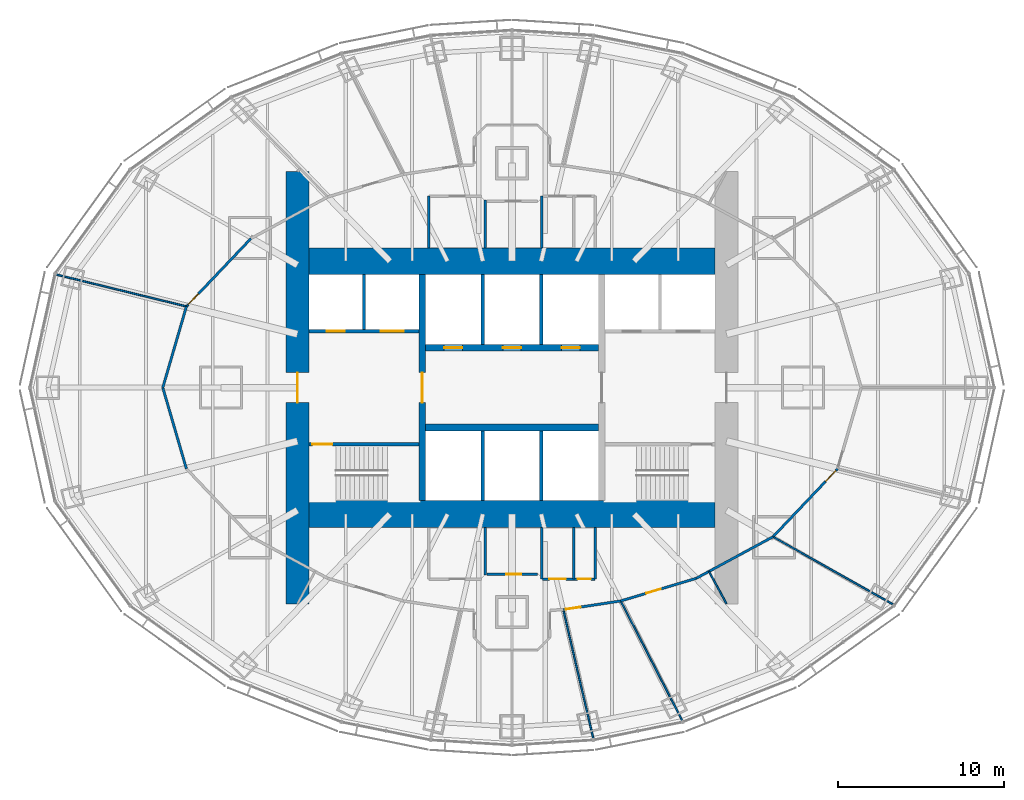
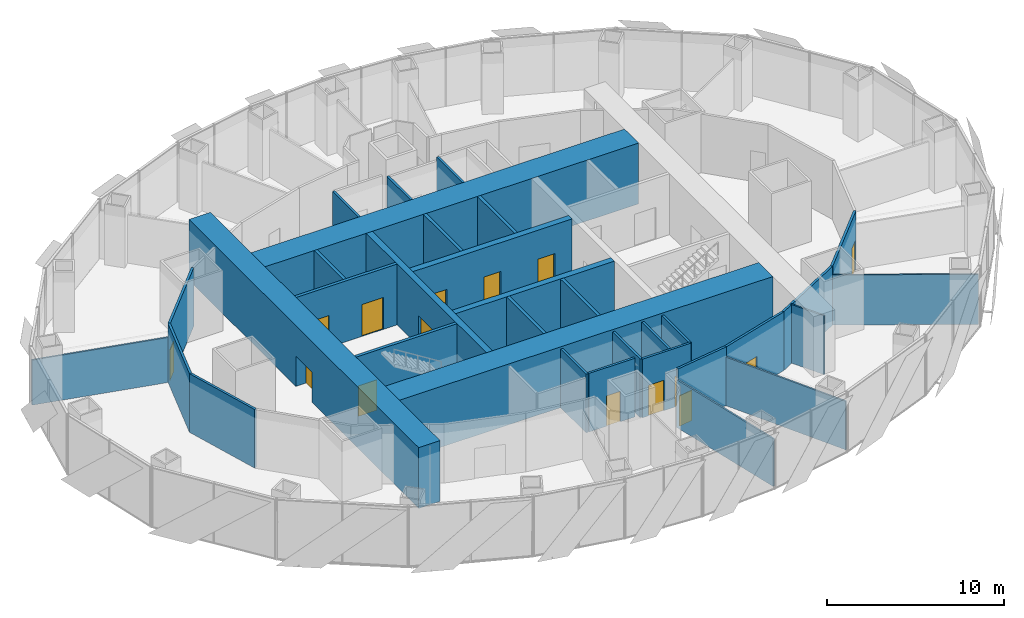
# One storey, part 11 of 18: 34 walls, 15 doors, 15 openings.
"""IFC4 building model written with IfcOpenShell, lengths in metres."""

from ifc_helpers import new_model, si_unit, direction, frame, frame_2d, origin, place, context, subcontext, project, spatial, rectangle, extrude, material, layer, layer_set, type_object, element, fill, save


model = new_model("IFC4")

# Units and contexts
model_context = context("Model", 3, precision=1e-05, world=origin(), true_north=direction((0.0, 1.0)))
body_context = subcontext(model_context, "Body", "Model", "MODEL_VIEW")
ifc_project = project(units=[si_unit("LENGTHUNIT", "METRE"), si_unit("AREAUNIT", "SQUARE_METRE"), si_unit("VOLUMEUNIT", "CUBIC_METRE"), si_unit("PLANEANGLEUNIT", "RADIAN"), si_unit("MASSUNIT", "GRAM", prefix="KILO")], contexts=[model_context])

# Site, building, storey
site_placement = place(None, origin())
site = spatial("IfcSite", under=ifc_project, at=site_placement, CompositionType="ELEMENT")
building_placement = place(site_placement, origin())
building = spatial("IfcBuilding", under=site, at=building_placement, Name="Lantaw Convention Tower", CompositionType="ELEMENT")
storey_placement = place(building_placement, frame((0.0, 0.0, 142.60009765625)))
storey = spatial("IfcBuildingStorey", under=building, at=storey_placement, Name="L33", CompositionType="ELEMENT", Elevation=142.60009765625)

# Wall, opening, door
ifc_material_1 = material(Name="Concrete C60/75", Category="concrete")
ifc_layer_1 = layer(ifc_material_1, 1.39990234375)
ifc_layer_set_1 = layer_set([ifc_layer_1], Name="Core wall 1400")
wall_type_1 = type_object("IfcWallType", Name="Core wall 1400", PredefinedType="SHEAR", material=ifc_layer_set_1)
wall_1_placement = place(storey_placement, frame((-12.89990234375, 13.0, 0.0), z_axis=(0.0, 0.0, 1.0), x_axis=(0.0, -1.0, 0.0)))
wall_1 = element("IfcWall", 1, at=wall_1_placement, inside=storey, type_object=wall_type_1, Name="Core wall W", PredefinedType="SHEAR", context=body_context, shape_type="SweptSolid", body=[
    extrude(rectangle(XDim=26.0, YDim=1.39990234375, at=frame_2d((13.0, 0.0))), origin(), (0.0, 0.0, 1.0), 4.199951171875),
])
opening_1_placement = place(wall_1_placement, frame((12.10009765625, 0.0, 0.0)))
opening_1 = element("IfcOpeningElement", 2, at=opening_1_placement, cuts=wall_1, Name="Opening L33.06", PredefinedType="OPENING", context=body_context, shape_type="SweptSolid", body=[
    extrude(rectangle(XDim=1.800048828125, YDim=2.10009765625, at=frame_2d((0.89990234375, 1.050048828125))), frame((0.0, 0.7099609375, 0.0), z_axis=(0.0, -1.0, 0.0), x_axis=(1.0, 0.0, 0.0)), (0.0, 0.0, 1.0), 1.419921875),
])
ifc_material_2 = material(Name="Steel, fire rated", Category="steel")
door_type_1 = type_object("IfcDoorType", Name="Lobby double door FD90", OperationType="DOUBLE_DOOR_DOUBLE_SWING", PredefinedType="DOOR", material=ifc_material_2)
door_1_placement = place(opening_1_placement, origin())
door_1 = element("IfcDoor", 3, at=door_1_placement, inside=storey, type_object=door_type_1, Name="Firefighting lobby door", OperationType="DOUBLE_DOOR_DOUBLE_SWING", OverallHeight=2.10009765625, OverallWidth=1.800048828125, PredefinedType="DOOR", context=body_context, shape_type="SweptSolid", body=[
    extrude(rectangle(XDim=1.800048828125, YDim=2.10009765625, at=frame_2d((0.89990234375, 1.050048828125))), frame((0.0, 0.02490234375, 0.0), z_axis=(0.0, -1.0, 0.0), x_axis=(1.0, 0.0, 0.0)), (0.0, 0.0, 1.0), 0.050048828125),
])
fill(opening_1, door_1)

# Walls
ifc_layer_2 = layer(ifc_material_1, 1.60009765625)
ifc_layer_set_2 = layer_set([ifc_layer_2], Name="Core wall 1600")
wall_type_2 = type_object("IfcWallType", Name="Core wall 1600", PredefinedType="SHEAR", material=ifc_layer_set_2)
for number, where, z_axis, x_axis, name in (
    (4, (-12.199951171875, -7.60009765625, 0.0), (0.0, 0.0, 1.0), (1.0, 0.0, 0.0), "Core wall S"),
    (5, (12.199951171875, 7.60009765625, 0.0), (0.0, 0.0, 1.0), (-1.0, 0.0, 0.0), "Core wall N"),
):
    element("IfcWall", number, at=place(storey_placement, frame(where, z_axis=z_axis, x_axis=x_axis)), inside=storey, type_object=wall_type_2, Name=name, PredefinedType="SHEAR", context=body_context, shape_type="SweptSolid", body=[
        extrude(rectangle(XDim=24.39990234375, YDim=1.60009765625, at=frame_2d((12.199951171875, 0.0))), origin(), (0.0, 0.0, 1.0), 4.199951171875),
    ])

# Wall, opening, door
ifc_layer_3 = layer(ifc_material_1, 0.199951171875)
ifc_layer_set_3 = layer_set([ifc_layer_3], Name="Core wall 200")
wall_type_3 = type_object("IfcWallType", Name="Core wall 200", PredefinedType="SHEAR", material=ifc_layer_set_3)
wall_2_placement = place(storey_placement, frame((-5.60009765625, -3.39990234375, 0.0), z_axis=(0.0, 0.0, 1.0), x_axis=(-1.0, 0.0, 0.0)))
wall_2 = element("IfcWall", 6, at=wall_2_placement, inside=storey, type_object=wall_type_3, Name="Core wall WS", PredefinedType="SHEAR", context=body_context, shape_type="SweptSolid", body=[
    extrude(rectangle(XDim=6.599853515625, YDim=0.199951171875, at=frame_2d((3.2998046875, 0.0))), origin(), (0.0, 0.0, 1.0), 4.199951171875),
])
opening_2_placement = place(wall_2_placement, frame((5.199951171875, 0.0, 0.0)))
opening_2 = element("IfcOpeningElement", 7, at=opening_2_placement, cuts=wall_2, Name="Opening L33.04", PredefinedType="OPENING", context=body_context, shape_type="SweptSolid", body=[
    extrude(rectangle(XDim=1.199951171875, YDim=2.10009765625, at=frame_2d((0.60009765625, 1.050048828125))), frame((0.0, 0.10986328125, 0.0), z_axis=(0.0, -1.0, 0.0), x_axis=(1.0, 0.0, 0.0)), (0.0, 0.0, 1.0), 0.219970703125),
])
door_type_2 = type_object("IfcDoorType", Name="Stair door FD90", OperationType="SINGLE_SWING_RIGHT", PredefinedType="DOOR", material=ifc_material_2)
door_2_placement = place(opening_2_placement, origin())
door_2 = element("IfcDoor", 8, at=door_2_placement, inside=storey, type_object=door_type_2, Name="Exit stair door", OperationType="SINGLE_SWING_RIGHT", OverallHeight=2.10009765625, OverallWidth=1.199951171875, PredefinedType="DOOR", context=body_context, shape_type="SweptSolid", body=[
    extrude(rectangle(XDim=1.199951171875, YDim=2.10009765625, at=frame_2d((0.60009765625, 1.050048828125))), frame((0.0, 0.02490234375, 0.0), z_axis=(0.0, -1.0, 0.0), x_axis=(1.0, 0.0, 0.0)), (0.0, 0.0, 1.0), 0.050048828125),
])
fill(opening_2, door_2)

ifc_layer_4 = layer(ifc_material_1, 0.39990234375)
ifc_layer_set_4 = layer_set([ifc_layer_4], Name="Core wall 400")
wall_type_4 = type_object("IfcWallType", Name="Core wall 400", PredefinedType="SHEAR", material=ifc_layer_set_4)
wall_3_placement = place(storey_placement, frame((-5.39990234375, 6.800048828125, 0.0), z_axis=(0.0, 0.0, 1.0), x_axis=(0.0, -1.0, 0.0)))
wall_3 = element("IfcWall", 9, at=wall_3_placement, inside=storey, type_object=wall_type_4, Name="Core wall XW", PredefinedType="SHEAR", context=body_context, shape_type="SweptSolid", body=[
    extrude(rectangle(XDim=13.60009765625, YDim=0.39990234375, at=frame_2d((6.800048828125, 0.0))), origin(), (0.0, 0.0, 1.0), 4.199951171875),
])
opening_3_placement = place(wall_3_placement, frame((5.89990234375, 0.0, 0.0)))
opening_3 = element("IfcOpeningElement", 10, at=opening_3_placement, cuts=wall_3, Name="Opening L33.02", PredefinedType="OPENING", context=body_context, shape_type="SweptSolid", body=[
    extrude(rectangle(XDim=1.800048828125, YDim=2.10009765625, at=frame_2d((0.89990234375, 1.050048828125))), frame((0.0, 0.2099609375, 0.0), z_axis=(0.0, -1.0, 0.0), x_axis=(1.0, 0.0, 0.0)), (0.0, 0.0, 1.0), 0.419921875),
])
door_3_placement = place(opening_3_placement, origin())
door_3 = element("IfcDoor", 11, at=door_3_placement, inside=storey, type_object=door_type_1, Name="Lift lobby door", OperationType="DOUBLE_DOOR_DOUBLE_SWING", OverallHeight=2.10009765625, OverallWidth=1.800048828125, PredefinedType="DOOR", context=body_context, shape_type="SweptSolid", body=[
    extrude(rectangle(XDim=1.800048828125, YDim=2.10009765625, at=frame_2d((0.89990234375, 1.050048828125))), frame((0.0, 0.02490234375, 0.0), z_axis=(0.0, -1.0, 0.0), x_axis=(1.0, 0.0, 0.0)), (0.0, 0.0, 1.0), 0.050048828125),
])
fill(opening_3, door_3)

# Wall
wall_4_placement = place(storey_placement, frame((-5.199951171875, -2.39990234375, 0.0), z_axis=(0.0, 0.0, 1.0), x_axis=(1.0, 0.0, 0.0)))
element("IfcWall", 12, at=wall_4_placement, inside=storey, type_object=wall_type_4, Name="Core wall BS", PredefinedType="SHEAR", context=body_context, shape_type="SweptSolid", body=[
    extrude(rectangle(XDim=10.39990234375, YDim=0.39990234375, at=frame_2d((5.199951171875, 0.0))), origin(), (0.0, 0.0, 1.0), 4.199951171875),
])

# Wall, openings, doors
wall_5_placement = place(storey_placement, frame((5.199951171875, 2.39990234375, 0.0), z_axis=(0.0, 0.0, 1.0), x_axis=(-1.0, 0.0, 0.0)))
wall_5 = element("IfcWall", 13, at=wall_5_placement, inside=storey, type_object=wall_type_4, Name="Core wall BN", PredefinedType="SHEAR", context=body_context, shape_type="SweptSolid", body=[
    extrude(rectangle(XDim=10.39990234375, YDim=0.39990234375, at=frame_2d((5.199951171875, 0.0))), origin(), (0.0, 0.0, 1.0), 4.199951171875),
])
opening_4_placement = place(wall_5_placement, frame((8.183349609375, 0.0, 0.0)))
opening_4 = element("IfcOpeningElement", 14, at=opening_4_placement, cuts=wall_5, Name="Opening L33.07", PredefinedType="OPENING", context=body_context, shape_type="SweptSolid", body=[
    extrude(rectangle(XDim=1.10009765625, YDim=2.199951171875, at=frame_2d((0.550048828125, 1.10009765625))), frame((0.0, 0.2099609375, 0.0), z_axis=(0.0, -1.0, 0.0), x_axis=(1.0, 0.0, 0.0)), (0.0, 0.0, 1.0), 0.419921875),
])
opening_5_placement = place(wall_5_placement, frame((4.64990234375, 0.0, 0.0)))
opening_5 = element("IfcOpeningElement", 15, at=opening_5_placement, cuts=wall_5, Name="Opening L33.08", PredefinedType="OPENING", context=body_context, shape_type="SweptSolid", body=[
    extrude(rectangle(XDim=1.10009765625, YDim=2.199951171875, at=frame_2d((0.550048828125, 1.10009765625))), frame((0.0, 0.2099609375, 0.0), z_axis=(0.0, -1.0, 0.0), x_axis=(1.0, 0.0, 0.0)), (0.0, 0.0, 1.0), 0.419921875),
])
opening_6_placement = place(wall_5_placement, frame((1.11669921875, 0.0, 0.0)))
opening_6 = element("IfcOpeningElement", 16, at=opening_6_placement, cuts=wall_5, Name="Opening L33.09", PredefinedType="OPENING", context=body_context, shape_type="SweptSolid", body=[
    extrude(rectangle(XDim=1.10009765625, YDim=2.199951171875, at=frame_2d((0.550048828125, 1.10009765625))), frame((0.0, 0.2099609375, 0.0), z_axis=(0.0, -1.0, 0.0), x_axis=(1.0, 0.0, 0.0)), (0.0, 0.0, 1.0), 0.419921875),
])
ifc_material_3 = material(Name="Stainless steel", Category="steel")
door_type_3 = type_object("IfcDoorType", Name="Lift landing door 1100", OperationType="DOUBLE_DOOR_SLIDING", PredefinedType="DOOR", material=ifc_material_3)
door_4_placement = place(opening_4_placement, origin())
door_4 = element("IfcDoor", 17, at=door_4_placement, inside=storey, type_object=door_type_3, Name="Lift landing door N1", OperationType="DOUBLE_DOOR_SLIDING", OverallHeight=2.199951171875, OverallWidth=1.10009765625, PredefinedType="DOOR", context=body_context, shape_type="SweptSolid", body=[
    extrude(rectangle(XDim=1.10009765625, YDim=2.199951171875, at=frame_2d((0.550048828125, 1.10009765625))), frame((0.0, 0.02490234375, 0.0), z_axis=(0.0, -1.0, 0.0), x_axis=(1.0, 0.0, 0.0)), (0.0, 0.0, 1.0), 0.050048828125),
])
fill(opening_4, door_4)
door_5_placement = place(opening_5_placement, origin())
door_5 = element("IfcDoor", 18, at=door_5_placement, inside=storey, type_object=door_type_3, Name="Lift landing door N2", OperationType="DOUBLE_DOOR_SLIDING", OverallHeight=2.199951171875, OverallWidth=1.10009765625, PredefinedType="DOOR", context=body_context, shape_type="SweptSolid", body=[
    extrude(rectangle(XDim=1.10009765625, YDim=2.199951171875, at=frame_2d((0.550048828125, 1.10009765625))), frame((0.0, 0.02490234375, 0.0), z_axis=(0.0, -1.0, 0.0), x_axis=(1.0, 0.0, 0.0)), (0.0, 0.0, 1.0), 0.050048828125),
])
fill(opening_5, door_5)
door_6_placement = place(opening_6_placement, origin())
door_6 = element("IfcDoor", 19, at=door_6_placement, inside=storey, type_object=door_type_3, Name="Lift landing door N3", OperationType="DOUBLE_DOOR_SLIDING", OverallHeight=2.199951171875, OverallWidth=1.10009765625, PredefinedType="DOOR", context=body_context, shape_type="SweptSolid", body=[
    extrude(rectangle(XDim=1.10009765625, YDim=2.199951171875, at=frame_2d((0.550048828125, 1.10009765625))), frame((0.0, 0.02490234375, 0.0), z_axis=(0.0, -1.0, 0.0), x_axis=(1.0, 0.0, 0.0)), (0.0, 0.0, 1.0), 0.050048828125),
])
fill(opening_6, door_6)

# Wall, opening, door
ifc_material_4 = material(Name="Gypsum board on steel studs, fire rated", Category="steel")
ifc_layer_5 = layer(ifc_material_4, 0.14990234375)
ifc_layer_set_5 = layer_set([ifc_layer_5], Name="Corridor wall 150 EI 60")
wall_type_5 = type_object("IfcWallType", Name="Corridor wall 150 EI 60", PredefinedType="PARTITIONING", material=ifc_layer_set_5)
wall_6_placement = place(storey_placement, frame((-15.695556640625, 8.968994140625, 0.0), z_axis=(0.0, 0.0, 1.0), x_axis=(-0.688797257101, -0.72495402517, 0.0)))
wall_6 = element("IfcWall", 20, at=wall_6_placement, inside=storey, type_object=wall_type_5, Name="Corridor wall 150", PredefinedType="PARTITIONING", context=body_context, shape_type="SweptSolid", body=[
    extrude(rectangle(XDim=5.63818359375, YDim=0.14990234375, at=frame_2d((2.819091796875, 0.0))), origin(), (0.0, 0.0, 1.0), 4.0498046875),
])
opening_7_placement = place(wall_6_placement, frame((4.587890625, 0.0, 0.0)))
opening_7 = element("IfcOpeningElement", 21, at=opening_7_placement, cuts=wall_6, Name="Opening L33.28", PredefinedType="OPENING", context=body_context, shape_type="SweptSolid", body=[
    extrude(rectangle(XDim=0.89990234375, YDim=2.10009765625, at=frame_2d((0.449951171875, 1.050048828125))), frame((0.0, 0.0849609375, 0.0), z_axis=(0.0, -1.0, 0.0), x_axis=(1.0, 0.0, 0.0)), (0.0, 0.0, 1.0), 0.169921875),
])
door_type_4 = type_object("IfcDoorType", Name="Office door 900 FD30", OperationType="SINGLE_SWING_LEFT", PredefinedType="DOOR", material=ifc_material_2)
door_7_placement = place(opening_7_placement, origin())
door_7 = element("IfcDoor", 22, at=door_7_placement, inside=storey, type_object=door_type_4, Name="Director office door", OperationType="SINGLE_SWING_LEFT", OverallHeight=2.10009765625, OverallWidth=0.89990234375, PredefinedType="DOOR", context=body_context, shape_type="SweptSolid", body=[
    extrude(rectangle(XDim=0.89990234375, YDim=2.10009765625, at=frame_2d((0.449951171875, 1.050048828125))), frame((0.0, 0.02490234375, 0.0), z_axis=(0.0, -1.0, 0.0), x_axis=(1.0, 0.0, 0.0)), (0.0, 0.0, 1.0), 0.050048828125),
])
fill(opening_7, door_7)

# Walls
for number, where, z_axis, x_axis, name in (
    (23, (-19.5791015625, 4.881591796875, 0.0), (0.0, 0.0, 1.0), (-0.279474430869, -0.960153134917, 0.0), "Corridor wall 150"),
    (24, (-21.0, 0.0, 0.0), (0.0, 0.0, 1.0), (0.279474430869, -0.960153134917, 0.0), "Corridor wall 150"),
):
    element("IfcWall", number, at=place(storey_placement, frame(where, z_axis=z_axis, x_axis=x_axis)), inside=storey, type_object=wall_type_5, Name=name, PredefinedType="PARTITIONING", context=body_context, shape_type="SweptSolid", body=[
        extrude(rectangle(XDim=5.084228515625, YDim=0.14990234375, at=frame_2d((2.5419921875, 0.0))), origin(), (0.0, 0.0, 1.0), 4.0498046875),
    ])

# Wall, opening, door
wall_7_placement = place(storey_placement, frame((3.0830078125, -13.353759765625, 0.0), z_axis=(0.0, 0.0, 1.0), x_axis=(0.988668719464, 0.150113833987, 0.0)))
wall_7 = element("IfcWall", 25, at=wall_7_placement, inside=storey, type_object=wall_type_5, Name="Corridor wall 150", PredefinedType="PARTITIONING", context=body_context, shape_type="SweptSolid", body=[
    extrude(rectangle(XDim=3.493408203125, YDim=0.14990234375, at=frame_2d((1.74658203125, 0.0))), origin(), (0.0, 0.0, 1.0), 4.0498046875),
])
opening_8_placement = place(wall_7_placement, frame((0.14990234375, 0.0, 0.0)))
opening_8 = element("IfcOpeningElement", 26, at=opening_8_placement, cuts=wall_7, Name="Opening L33.32", PredefinedType="OPENING", context=body_context, shape_type="SweptSolid", body=[
    extrude(rectangle(XDim=0.89990234375, YDim=2.10009765625, at=frame_2d((0.449951171875, 1.050048828125))), frame((0.0, 0.0849609375, 0.0), z_axis=(0.0, -1.0, 0.0), x_axis=(1.0, 0.0, 0.0)), (0.0, 0.0, 1.0), 0.169921875),
])
door_8_placement = place(opening_8_placement, origin())
door_8 = element("IfcDoor", 27, at=door_8_placement, inside=storey, type_object=door_type_4, Name="Pantry door", OperationType="SINGLE_SWING_LEFT", OverallHeight=2.10009765625, OverallWidth=0.89990234375, PredefinedType="DOOR", context=body_context, shape_type="SweptSolid", body=[
    extrude(rectangle(XDim=0.89990234375, YDim=2.10009765625, at=frame_2d((0.449951171875, 1.050048828125))), frame((0.0, 0.02490234375, 0.0), z_axis=(0.0, -1.0, 0.0), x_axis=(1.0, 0.0, 0.0)), (0.0, 0.0, 1.0), 0.050048828125),
])
fill(opening_8, door_8)

wall_8_placement = place(storey_placement, frame((6.536865234375, -12.829345703125, 0.0), z_axis=(0.0, 0.0, 1.0), x_axis=(0.957933992798, 0.286988615527, 0.0)))
wall_8 = element("IfcWall", 28, at=wall_8_placement, inside=storey, type_object=wall_type_5, Name="Corridor wall 150", PredefinedType="PARTITIONING", context=body_context, shape_type="SweptSolid", body=[
    extrude(rectangle(XDim=4.73828125, YDim=0.14990234375, at=frame_2d((2.369140625, 0.0))), origin(), (0.0, 0.0, 1.0), 4.0498046875),
])
opening_9_placement = place(wall_8_placement, frame((1.60693359375, 0.0, 0.0)))
opening_9 = element("IfcOpeningElement", 29, at=opening_9_placement, cuts=wall_8, Name="Opening L33.33", PredefinedType="OPENING", context=body_context, shape_type="SweptSolid", body=[
    extrude(rectangle(XDim=0.89990234375, YDim=2.10009765625, at=frame_2d((0.449951171875, 1.050048828125))), frame((0.0, 0.0849609375, 0.0), z_axis=(0.0, -1.0, 0.0), x_axis=(1.0, 0.0, 0.0)), (0.0, 0.0, 1.0), 0.169921875),
])
door_9_placement = place(opening_9_placement, origin())
door_9 = element("IfcDoor", 30, at=door_9_placement, inside=storey, type_object=door_type_4, Name="Director office door", OperationType="SINGLE_SWING_LEFT", OverallHeight=2.10009765625, OverallWidth=0.89990234375, PredefinedType="DOOR", context=body_context, shape_type="SweptSolid", body=[
    extrude(rectangle(XDim=0.89990234375, YDim=2.10009765625, at=frame_2d((0.449951171875, 1.050048828125))), frame((0.0, 0.02490234375, 0.0), z_axis=(0.0, -1.0, 0.0), x_axis=(1.0, 0.0, 0.0)), (0.0, 0.0, 1.0), 0.050048828125),
])
fill(opening_9, door_9)

# Wall
wall_9_placement = place(storey_placement, frame((11.075927734375, -11.469482421875, 0.0), z_axis=(0.0, 0.0, 1.0), x_axis=(0.879436285334, 0.476016617397, 0.0)))
element("IfcWall", 31, at=wall_9_placement, inside=storey, type_object=wall_type_5, Name="Corridor wall 150", PredefinedType="PARTITIONING", context=body_context, shape_type="SweptSolid", body=[
    extrude(rectangle(XDim=5.2529296875, YDim=0.14990234375, at=frame_2d((2.62646484375, 0.0))), origin(), (0.0, 0.0, 1.0), 4.0498046875),
])

# Wall, opening, door
wall_10_placement = place(storey_placement, frame((15.695556640625, -8.968994140625, 0.0), z_axis=(0.0, 0.0, 1.0), x_axis=(0.688797257101, 0.72495402517, 0.0)))
wall_10 = element("IfcWall", 32, at=wall_10_placement, inside=storey, type_object=wall_type_5, Name="Corridor wall 150", PredefinedType="PARTITIONING", context=body_context, shape_type="SweptSolid", body=[
    extrude(rectangle(XDim=5.63818359375, YDim=0.14990234375, at=frame_2d((2.819091796875, 0.0))), origin(), (0.0, 0.0, 1.0), 4.0498046875),
])
opening_10_placement = place(wall_10_placement, frame((4.587890625, 0.0, 0.0)))
opening_10 = element("IfcOpeningElement", 33, at=opening_10_placement, cuts=wall_10, Name="Opening L33.34", PredefinedType="OPENING", context=body_context, shape_type="SweptSolid", body=[
    extrude(rectangle(XDim=0.89990234375, YDim=2.10009765625, at=frame_2d((0.449951171875, 1.050048828125))), frame((0.0, 0.0849609375, 0.0), z_axis=(0.0, -1.0, 0.0), x_axis=(1.0, 0.0, 0.0)), (0.0, 0.0, 1.0), 0.169921875),
])
door_10_placement = place(opening_10_placement, origin())
door_10 = element("IfcDoor", 34, at=door_10_placement, inside=storey, type_object=door_type_4, Name="Private office door", OperationType="SINGLE_SWING_LEFT", OverallHeight=2.10009765625, OverallWidth=0.89990234375, PredefinedType="DOOR", context=body_context, shape_type="SweptSolid", body=[
    extrude(rectangle(XDim=0.89990234375, YDim=2.10009765625, at=frame_2d((0.449951171875, 1.050048828125))), frame((0.0, 0.02490234375, 0.0), z_axis=(0.0, -1.0, 0.0), x_axis=(1.0, 0.0, 0.0)), (0.0, 0.0, 1.0), 0.050048828125),
])
fill(opening_10, door_10)

# Walls
ifc_material_5 = material(Name="Gypsum board on steel studs, acoustic", Category="steel")
ifc_layer_6 = layer(ifc_material_5, 0.10009765625)
ifc_layer_set_6 = layer_set([ifc_layer_6], Name="Office partition 100")
wall_type_6 = type_object("IfcWallType", Name="Office partition 100", PredefinedType="PARTITIONING", material=ifc_layer_set_6)
wall_11_placement = place(storey_placement, frame((-27.440673828125, 6.808837890625, 0.0), z_axis=(0.0, 0.0, 1.0), x_axis=(0.971241251223, -0.238097526075, 0.0)))
element("IfcWall", 35, at=wall_11_placement, inside=storey, type_object=wall_type_6, Name="Office partition 100", PredefinedType="PARTITIONING", context=body_context, shape_type="SweptSolid", body=[
    extrude(rectangle(XDim=8.09423828125, YDim=0.10009765625, at=frame_2d((4.047119140625, 0.0))), origin(), (0.0, 0.0, 1.0), 3.112548828125),
])
wall_12_placement = place(storey_placement, frame((4.89697265625, -21.134765625, 0.0), z_axis=(0.0, 0.0, 1.0), x_axis=(-0.227039313577, 0.973885593943, 0.0)))
element("IfcWall", 36, at=wall_12_placement, inside=storey, type_object=wall_type_6, Name="Office partition 100", PredefinedType="PARTITIONING", context=body_context, shape_type="SweptSolid", body=[
    extrude(rectangle(XDim=7.98974609375, YDim=0.10009765625, at=frame_2d((3.994873046875, 0.0))), origin(), (0.0, 0.0, 1.0), 3.29296875),
])
wall_13_placement = place(storey_placement, frame((10.253173828125, -20.0517578125, 0.0), z_axis=(0.0, 0.0, 1.0), x_axis=(-0.457535449567, 0.889191381194, 0.0)))
element("IfcWall", 37, at=wall_13_placement, inside=storey, type_object=wall_type_6, Name="Office partition 100", PredefinedType="PARTITIONING", context=body_context, shape_type="SweptSolid", body=[
    extrude(rectangle(XDim=8.12255859375, YDim=0.10009765625, at=frame_2d((4.061279296875, 0.0))), origin(), (0.0, 0.0, 1.0), 3.348876953125),
])
wall_14_placement = place(storey_placement, frame((22.94921875, -13.058837890625, 0.0), z_axis=(0.0, 0.0, 1.0), x_axis=(-0.871079462611, 0.491142107558, 0.0)))
element("IfcWall", 38, at=wall_14_placement, inside=storey, type_object=wall_type_6, Name="Office partition 100", PredefinedType="PARTITIONING", context=body_context, shape_type="SweptSolid", body=[
    extrude(rectangle(XDim=8.3271484375, YDim=0.10009765625, at=frame_2d((4.16357421875, 0.0))), origin(), (0.0, 0.0, 1.0), 3.450439453125),
])
wall_15_placement = place(storey_placement, frame((12.89990234375, -13.0, 0.0), z_axis=(0.0, 0.0, 1.0), x_axis=(-0.475998959765, 0.879445842734, 0.0)))
element("IfcWall", 39, at=wall_15_placement, inside=storey, type_object=wall_type_6, Name="Office partition 100", PredefinedType="PARTITIONING", context=body_context, shape_type="SweptSolid", body=[
    extrude(rectangle(XDim=2.214111328125, YDim=0.10009765625, at=frame_2d((1.10693359375, 0.0))), origin(), (0.0, 0.0, 1.0), 4.0498046875),
])
ifc_material_6 = material(Name="Concrete blockwork, fire rated", Category="masonry")
ifc_layer_7 = layer(ifc_material_6, 0.199951171875)
ifc_layer_set_7 = layer_set([ifc_layer_7], Name="Shaft wall 200")
wall_type_7 = type_object("IfcWallType", Name="Shaft wall 200", PredefinedType="SOLIDWALL", material=ifc_layer_set_7)
for number, where, z_axis, x_axis, name in (
    (40, (-1.7666015625, 2.60009765625, 0.0), (0.0, 0.0, 1.0), (0.0, 1.0, 0.0), "Shaft wall DN1"),
    (41, (1.7666015625, 2.60009765625, 0.0), (0.0, 0.0, 1.0), (0.0, 1.0, 0.0), "Shaft wall DN2"),
):
    element("IfcWall", number, at=place(storey_placement, frame(where, z_axis=z_axis, x_axis=x_axis)), inside=storey, type_object=wall_type_7, Name=name, PredefinedType="SOLIDWALL", context=body_context, shape_type="SweptSolid", body=[
        extrude(rectangle(XDim=4.199951171875, YDim=0.199951171875, at=frame_2d((2.10009765625, 0.0))), origin(), (0.0, 0.0, 1.0), 4.199951171875),
    ])

# Wall, openings, doors
wall_16_placement = place(storey_placement, frame((-12.199951171875, 3.39990234375, 0.0), z_axis=(0.0, 0.0, 1.0), x_axis=(1.0, 0.0, 0.0)))
wall_16 = element("IfcWall", 42, at=wall_16_placement, inside=storey, type_object=wall_type_7, Name="Shaft wall WN", PredefinedType="SOLIDWALL", context=body_context, shape_type="SweptSolid", body=[
    extrude(rectangle(XDim=6.599853515625, YDim=0.199951171875, at=frame_2d((3.2998046875, 0.0))), origin(), (0.0, 0.0, 1.0), 4.199951171875),
])
opening_11_placement = place(wall_16_placement, frame((1.050048828125, 0.0, 0.0)))
opening_11 = element("IfcOpeningElement", 43, at=opening_11_placement, cuts=wall_16, Name="Opening L33.10", PredefinedType="OPENING", context=body_context, shape_type="SweptSolid", body=[
    extrude(rectangle(XDim=1.10009765625, YDim=2.199951171875, at=frame_2d((0.550048828125, 1.10009765625))), frame((0.0, 0.10986328125, 0.0), z_axis=(0.0, -1.0, 0.0), x_axis=(1.0, 0.0, 0.0)), (0.0, 0.0, 1.0), 0.219970703125),
])
opening_12_placement = place(wall_16_placement, frame((4.300048828125, 0.0, 0.0)))
opening_12 = element("IfcOpeningElement", 44, at=opening_12_placement, cuts=wall_16, Name="Opening L33.11", PredefinedType="OPENING", context=body_context, shape_type="SweptSolid", body=[
    extrude(rectangle(XDim=1.39990234375, YDim=2.199951171875, at=frame_2d((0.699951171875, 1.10009765625))), frame((0.0, 0.10986328125, 0.0), z_axis=(0.0, -1.0, 0.0), x_axis=(1.0, 0.0, 0.0)), (0.0, 0.0, 1.0), 0.219970703125),
])
door_11_placement = place(opening_11_placement, origin())
door_11 = element("IfcDoor", 45, at=door_11_placement, inside=storey, type_object=door_type_3, Name="Lift landing door FF1", OperationType="DOUBLE_DOOR_SLIDING", OverallHeight=2.199951171875, OverallWidth=1.10009765625, PredefinedType="DOOR", context=body_context, shape_type="SweptSolid", body=[
    extrude(rectangle(XDim=1.10009765625, YDim=2.199951171875, at=frame_2d((0.550048828125, 1.10009765625))), frame((0.0, 0.02490234375, 0.0), z_axis=(0.0, -1.0, 0.0), x_axis=(1.0, 0.0, 0.0)), (0.0, 0.0, 1.0), 0.050048828125),
])
fill(opening_11, door_11)
door_type_5 = type_object("IfcDoorType", Name="Lift landing door 1400", OperationType="DOUBLE_DOOR_SLIDING", PredefinedType="DOOR", material=ifc_material_3)
door_12_placement = place(opening_12_placement, origin())
door_12 = element("IfcDoor", 46, at=door_12_placement, inside=storey, type_object=door_type_5, Name="Lift landing door SV1", OperationType="DOUBLE_DOOR_SLIDING", OverallHeight=2.199951171875, OverallWidth=1.39990234375, PredefinedType="DOOR", context=body_context, shape_type="SweptSolid", body=[
    extrude(rectangle(XDim=1.39990234375, YDim=2.199951171875, at=frame_2d((0.699951171875, 1.10009765625))), frame((0.0, 0.02490234375, 0.0), z_axis=(0.0, -1.0, 0.0), x_axis=(1.0, 0.0, 0.0)), (0.0, 0.0, 1.0), 0.050048828125),
])
fill(opening_12, door_12)

# Walls
wall_17_placement = place(storey_placement, frame((-8.89990234375, 3.5, 0.0), z_axis=(0.0, 0.0, 1.0), x_axis=(0.0, 1.0, 0.0)))
element("IfcWall", 47, at=wall_17_placement, inside=storey, type_object=wall_type_7, Name="Shaft wall WD", PredefinedType="SOLIDWALL", context=body_context, shape_type="SweptSolid", body=[
    extrude(rectangle(XDim=3.300048828125, YDim=0.199951171875, at=frame_2d((1.64990234375, 0.0))), origin(), (0.0, 0.0, 1.0), 4.199951171875),
])
ifc_layer_8 = layer(ifc_material_6, 0.199951171875)
ifc_layer_set_8 = layer_set([ifc_layer_8], Name="Shaft wall 200 load-bearing")
wall_type_8 = type_object("IfcWallType", Name="Shaft wall 200 load-bearing", PredefinedType="SOLIDWALL", material=ifc_layer_set_8)
for number, where, z_axis, x_axis, name in (
    (48, (-1.7666015625, -2.60009765625, 0.0), (0.0, 0.0, 1.0), (0.0, -1.0, 0.0), "Shaft wall DS1"),
    (49, (1.7666015625, -2.60009765625, 0.0), (0.0, 0.0, 1.0), (0.0, -1.0, 0.0), "Shaft wall DS2"),
):
    element("IfcWall", number, at=place(storey_placement, frame(where, z_axis=z_axis, x_axis=x_axis)), inside=storey, type_object=wall_type_8, Name=name, PredefinedType="SOLIDWALL", context=body_context, shape_type="SweptSolid", body=[
        extrude(rectangle(XDim=4.199951171875, YDim=0.199951171875, at=frame_2d((2.10009765625, 0.0))), origin(), (0.0, 0.0, 1.0), 4.199951171875),
    ])
ifc_material_7 = material(Name="Concrete blockwork", Category="masonry")
ifc_layer_9 = layer(ifc_material_7, 0.14990234375)
ifc_layer_set_9 = layer_set([ifc_layer_9], Name="WC wall 150")
wall_type_9 = type_object("IfcWallType", Name="WC wall 150", PredefinedType="SOLIDWALL", material=ifc_layer_set_9)
for number, where, z_axis, x_axis, name in (
    (50, (-5.0, 8.39990234375, 0.0), (0.0, 0.0, 1.0), (0.0, 1.0, 0.0), "WC wall 150"),
    (51, (1.800048828125, 8.39990234375, 0.0), (0.0, 0.0, 1.0), (0.0, 1.0, 0.0), "WC wall 150"),
    (52, (5.0, -8.39990234375, 0.0), (0.0, 0.0, 1.0), (0.0, -1.0, 0.0), "WC wall 150"),
    (53, (1.800048828125, -8.39990234375, 0.0), (0.0, 0.0, 1.0), (0.0, -1.0, 0.0), "WC wall 150"),
    (54, (3.699951171875, -8.39990234375, 0.0), (0.0, 0.0, 1.0), (0.0, -1.0, 0.0), "WC wall 150"),
):
    element("IfcWall", number, at=place(storey_placement, frame(where, z_axis=z_axis, x_axis=x_axis)), inside=storey, type_object=wall_type_9, Name=name, PredefinedType="SOLIDWALL", context=body_context, shape_type="SweptSolid", body=[
        extrude(rectangle(XDim=3.112060546875, YDim=0.14990234375, at=frame_2d((1.55615234375, 0.0))), origin(), (0.0, 0.0, 1.0), 4.0498046875),
    ])

# Wall, openings, doors
wall_18_placement = place(storey_placement, frame((1.843505859375, -11.511962890625, 0.0), z_axis=(0.0, 0.0, 1.0), x_axis=(1.0, 0.0, 0.0)))
wall_18 = element("IfcWall", 55, at=wall_18_placement, inside=storey, type_object=wall_type_9, Name="WC wall 150", PredefinedType="SOLIDWALL", context=body_context, shape_type="SweptSolid", body=[
    extrude(rectangle(XDim=3.156494140625, YDim=0.14990234375, at=frame_2d((1.578125, 0.0))), origin(), (0.0, 0.0, 1.0), 4.0498046875),
])
opening_13_placement = place(wall_18_placement, frame((0.39990234375, 0.0, 0.0)))
opening_13 = element("IfcOpeningElement", 56, at=opening_13_placement, cuts=wall_18, Name="Opening L33.20", PredefinedType="OPENING", context=body_context, shape_type="SweptSolid", body=[
    extrude(rectangle(XDim=1.0, YDim=2.10009765625, at=frame_2d((0.5, 1.050048828125))), frame((0.0, 0.0849609375, 0.0), z_axis=(0.0, -1.0, 0.0), x_axis=(1.0, 0.0, 0.0)), (0.0, 0.0, 1.0), 0.169921875),
])
opening_14_placement = place(wall_18_placement, frame((2.10009765625, 0.0, 0.0)))
opening_14 = element("IfcOpeningElement", 57, at=opening_14_placement, cuts=wall_18, Name="Opening L33.21", PredefinedType="OPENING", context=body_context, shape_type="SweptSolid", body=[
    extrude(rectangle(XDim=0.800048828125, YDim=2.10009765625, at=frame_2d((0.39990234375, 1.050048828125))), frame((0.0, 0.0849609375, 0.0), z_axis=(0.0, -1.0, 0.0), x_axis=(1.0, 0.0, 0.0)), (0.0, 0.0, 1.0), 0.169921875),
])
ifc_material_8 = material(Name="Timber", Category="wood")
door_type_6 = type_object("IfcDoorType", Name="Accessible WC door 1000", OperationType="SINGLE_SWING_LEFT", PredefinedType="DOOR", material=ifc_material_8)
door_13_placement = place(opening_13_placement, origin())
door_13 = element("IfcDoor", 58, at=door_13_placement, inside=storey, type_object=door_type_6, Name="Accessible WC door", OperationType="SINGLE_SWING_LEFT", OverallHeight=2.10009765625, OverallWidth=1.0, PredefinedType="DOOR", context=body_context, shape_type="SweptSolid", body=[
    extrude(rectangle(XDim=1.0, YDim=2.10009765625, at=frame_2d((0.5, 1.050048828125))), frame((0.0, 0.02490234375, 0.0), z_axis=(0.0, -1.0, 0.0), x_axis=(1.0, 0.0, 0.0)), (0.0, 0.0, 1.0), 0.050048828125),
])
fill(opening_13, door_13)
door_type_7 = type_object("IfcDoorType", Name="WC door 800", OperationType="SINGLE_SWING_LEFT", PredefinedType="DOOR", material=ifc_material_8)
door_14_placement = place(opening_14_placement, origin())
door_14 = element("IfcDoor", 59, at=door_14_placement, inside=storey, type_object=door_type_7, Name="Pantry door", OperationType="SINGLE_SWING_LEFT", OverallHeight=2.10009765625, OverallWidth=0.800048828125, PredefinedType="DOOR", context=body_context, shape_type="SweptSolid", body=[
    extrude(rectangle(XDim=0.800048828125, YDim=2.10009765625, at=frame_2d((0.39990234375, 1.050048828125))), frame((0.0, 0.02490234375, 0.0), z_axis=(0.0, -1.0, 0.0), x_axis=(1.0, 0.0, 0.0)), (0.0, 0.0, 1.0), 0.050048828125),
])
fill(opening_14, door_14)

# Wall
wall_19_placement = place(storey_placement, frame((-1.60009765625, -8.39990234375, 0.0), z_axis=(0.0, 0.0, 1.0), x_axis=(0.0, -1.0, 0.0)))
element("IfcWall", 60, at=wall_19_placement, inside=storey, type_object=wall_type_9, Name="WC wall 150", PredefinedType="SOLIDWALL", context=body_context, shape_type="SweptSolid", body=[
    extrude(rectangle(XDim=2.86865234375, YDim=0.14990234375, at=frame_2d((1.434326171875, 0.0))), origin(), (0.0, 0.0, 1.0), 4.0498046875),
])

# Wall, opening, door
wall_20_placement = place(storey_placement, frame((-1.4951171875, -11.215087890625, 0.0), z_axis=(0.0, 0.0, 1.0), x_axis=(1.0, 0.0, 0.0)))
wall_20 = element("IfcWall", 61, at=wall_20_placement, inside=storey, type_object=wall_type_9, Name="WC wall 150", PredefinedType="SOLIDWALL", context=body_context, shape_type="SweptSolid", body=[
    extrude(rectangle(XDim=3.02734375, YDim=0.14990234375, at=frame_2d((1.513671875, 0.0))), origin(), (0.0, 0.0, 1.0), 4.0498046875),
])
opening_15_placement = place(wall_20_placement, frame((1.14990234375, 0.0, 0.0)))
opening_15 = element("IfcOpeningElement", 62, at=opening_15_placement, cuts=wall_20, Name="Opening L33.19", PredefinedType="OPENING", context=body_context, shape_type="SweptSolid", body=[
    extrude(rectangle(XDim=0.89990234375, YDim=2.10009765625, at=frame_2d((0.449951171875, 1.050048828125))), frame((0.0, 0.0849609375, 0.0), z_axis=(0.0, -1.0, 0.0), x_axis=(1.0, 0.0, 0.0)), (0.0, 0.0, 1.0), 0.169921875),
])
door_type_8 = type_object("IfcDoorType", Name="WC door 900", OperationType="SINGLE_SWING_LEFT", PredefinedType="DOOR", material=ifc_material_8)
door_15_placement = place(opening_15_placement, origin())
door_15 = element("IfcDoor", 63, at=door_15_placement, inside=storey, type_object=door_type_8, Name="Female WC door", OperationType="SINGLE_SWING_LEFT", OverallHeight=2.10009765625, OverallWidth=0.89990234375, PredefinedType="DOOR", context=body_context, shape_type="SweptSolid", body=[
    extrude(rectangle(XDim=0.89990234375, YDim=2.10009765625, at=frame_2d((0.449951171875, 1.050048828125))), frame((0.0, 0.02490234375, 0.0), z_axis=(0.0, -1.0, 0.0), x_axis=(1.0, 0.0, 0.0)), (0.0, 0.0, 1.0), 0.050048828125),
])
fill(opening_15, door_15)

# Wall
wall_21_placement = place(storey_placement, frame((-1.60009765625, 8.39990234375, 0.0), z_axis=(0.0, 0.0, 1.0), x_axis=(0.0, 1.0, 0.0)))
element("IfcWall", 64, at=wall_21_placement, inside=storey, type_object=wall_type_9, Name="WC wall 150", PredefinedType="SOLIDWALL", context=body_context, shape_type="SweptSolid", body=[
    extrude(rectangle(XDim=2.86865234375, YDim=0.14990234375, at=frame_2d((1.434326171875, 0.0))), origin(), (0.0, 0.0, 1.0), 4.0498046875),
])

save(model, "model.ifc")
